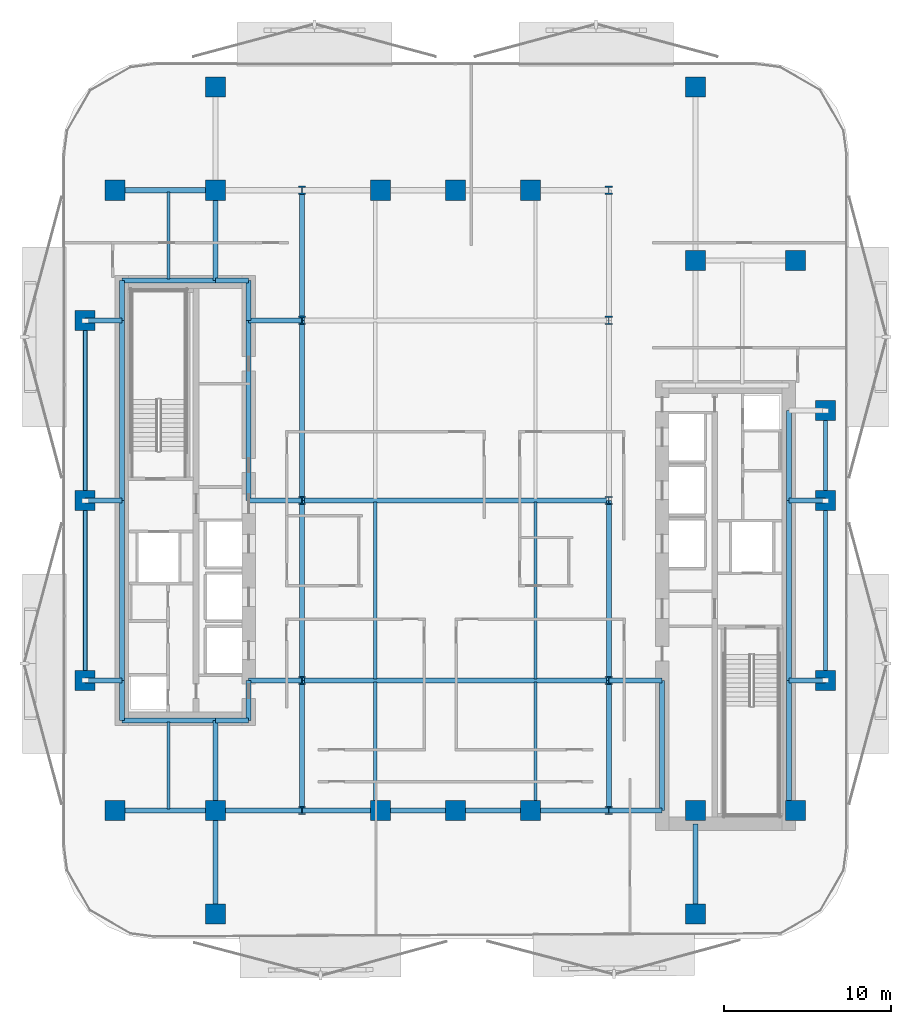
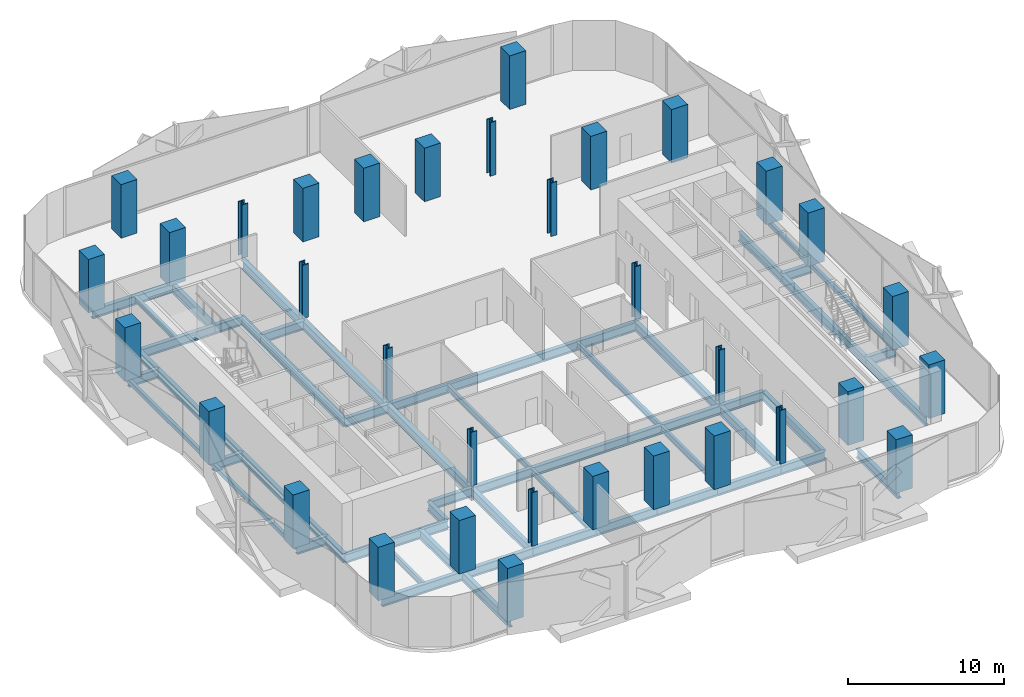
# One storey, part 1 of 15: 54 beams, 34 columns.
"""IFC4 building model written with IfcOpenShell, lengths in metres."""

from ifc_helpers import new_model, si_unit, direction, frame, origin, origin_2d, place, context, subcontext, project, spatial, rectangle, hollow_rectangle, i_section, extrude, material, material_profile, profile_set, type_object, element, save


model = new_model("IFC4")

# Units and contexts
model_context = context("Model", 3, precision=1e-05, world=origin(), true_north=direction((0.0, 1.0)))
body_context = subcontext(model_context, "Body", "Model", "MODEL_VIEW")
ifc_project = project(units=[si_unit("LENGTHUNIT", "METRE"), si_unit("AREAUNIT", "SQUARE_METRE"), si_unit("VOLUMEUNIT", "CUBIC_METRE"), si_unit("PLANEANGLEUNIT", "RADIAN"), si_unit("MASSUNIT", "GRAM", prefix="KILO")], contexts=[model_context])

# Site, building, storey
site_placement = place(None, origin())
site = spatial("IfcSite", under=ifc_project, at=site_placement, CompositionType="ELEMENT")
building_placement = place(site_placement, origin())
building = spatial("IfcBuilding", under=site, at=building_placement, Name="Khairoan Windgate Tower", CompositionType="ELEMENT")
storey_placement = place(building_placement, frame((0.0, 0.0, 110.0)))
storey = spatial("IfcBuildingStorey", under=building, at=storey_placement, Name="L25", CompositionType="ELEMENT", Elevation=110.0)

# Columns
ifc_material_1 = material(Name="Concrete C60/75", Category="concrete")
ifc_material_profile_1 = material_profile(ifc_material_1, rectangle(XDim=1.199951171875, YDim=1.199951171875, at=origin_2d()))
ifc_profile_set_1 = profile_set([ifc_material_profile_1], Name="Concrete C60/75")
column_type_1 = type_object("IfcColumnType", Name="Column C-T3 RC1200x1200", PredefinedType="COLUMN", material=ifc_profile_set_1)
for number, where, z_axis, x_axis, name in (
    (1, (-20.39990234375, -18.60009765625, 0.0), (0.0, 0.0, 1.0), (1.0, 0.0, 0.0), "Column L25-11"),
    (2, (-20.39990234375, 18.60009765625, 0.0), (0.0, 0.0, 1.0), (1.0, 0.0, 0.0), "Column L25-12"),
    (3, (20.39990234375, -18.60009765625, 0.0), (0.0, 0.0, 1.0), (1.0, 0.0, 0.0), "Column L25-13"),
    (4, (20.39990234375, 14.39990234375, 0.0), (0.0, 0.0, 1.0), (1.0, 0.0, 0.0), "Column L25-14"),
    (5, (-14.39990234375, -18.60009765625, 0.0), (0.0, 0.0, 1.0), (1.0, 0.0, 0.0), "Column L25-15"),
    (6, (-14.39990234375, 18.60009765625, 0.0), (0.0, 0.0, 1.0), (1.0, 0.0, 0.0), "Column L25-16"),
    (7, (14.39990234375, -18.60009765625, 0.0), (0.0, 0.0, 1.0), (1.0, 0.0, 0.0), "Column L25-17"),
    (8, (14.39990234375, 14.39990234375, 0.0), (0.0, 0.0, 1.0), (1.0, 0.0, 0.0), "Column L25-18"),
    (9, (-4.5, -18.60009765625, 0.0), (0.0, 0.0, 1.0), (1.0, 0.0, 0.0), "Column L25-19"),
    (10, (0.0, -18.60009765625, 0.0), (0.0, 0.0, 1.0), (1.0, 0.0, 0.0), "Column L25-20"),
    (11, (4.5, -18.60009765625, 0.0), (0.0, 0.0, 1.0), (1.0, 0.0, 0.0), "Column L25-21"),
    (12, (-4.5, 18.60009765625, 0.0), (0.0, 0.0, 1.0), (1.0, 0.0, 0.0), "Column L25-22"),
    (13, (0.0, 18.60009765625, 0.0), (0.0, 0.0, 1.0), (1.0, 0.0, 0.0), "Column L25-23"),
    (14, (4.5, 18.60009765625, 0.0), (0.0, 0.0, 1.0), (1.0, 0.0, 0.0), "Column L25-24"),
    (15, (-22.199951171875, -10.800048828125, 0.0), (0.0, 0.0, 1.0), (1.0, 0.0, 0.0), "Column L25-25"),
    (16, (-22.199951171875, 0.0, 0.0), (0.0, 0.0, 1.0), (1.0, 0.0, 0.0), "Column L25-26"),
    (17, (-22.199951171875, 10.800048828125, 0.0), (0.0, 0.0, 1.0), (1.0, 0.0, 0.0), "Column L25-27"),
    (18, (22.199951171875, -10.800048828125, 0.0), (0.0, 0.0, 1.0), (1.0, 0.0, 0.0), "Column L25-28"),
    (19, (22.199951171875, 0.0, 0.0), (0.0, 0.0, 1.0), (1.0, 0.0, 0.0), "Column L25-29"),
    (20, (22.199951171875, 5.39990234375, 0.0), (0.0, 0.0, 1.0), (1.0, 0.0, 0.0), "Column L25-30"),
    (21, (-14.39990234375, -24.800048828125, 0.0), (0.0, 0.0, 1.0), (1.0, 0.0, 0.0), "Column L25-31"),
    (22, (-14.39990234375, 24.800048828125, 0.0), (0.0, 0.0, 1.0), (1.0, 0.0, 0.0), "Column L25-32"),
    (23, (14.39990234375, -24.800048828125, 0.0), (0.0, 0.0, 1.0), (1.0, 0.0, 0.0), "Column L25-33"),
    (24, (14.39990234375, 24.800048828125, 0.0), (0.0, 0.0, 1.0), (1.0, 0.0, 0.0), "Column L25-34"),
):
    element("IfcColumn", number, at=place(storey_placement, frame(where, z_axis=z_axis, x_axis=x_axis)), inside=storey, type_object=column_type_1, Name=name, PredefinedType="COLUMN", context=body_context, shape_type="SweptSolid", body=[
        extrude(rectangle(XDim=1.199951171875, YDim=1.199951171875, at=origin_2d()), origin(), (0.0, 0.0, 1.0), 4.199951171875),
    ])
ifc_material_2 = material(Name="Steel S355", Category="steel")
ifc_material_profile_2 = material_profile(ifc_material_2, i_section(OverallWidth=0.431884765625, OverallDepth=0.498046875, WebThickness=0.044921875, FlangeThickness=0.070068359375, FilletRadius=0.02197265625, at=origin_2d()))
ifc_profile_set_2 = profile_set([ifc_material_profile_2], Name="Steel S355")
column_type_2 = type_object("IfcColumnType", Name="Steel Column SC1 H498x432x45x70", PredefinedType="COLUMN", material=ifc_profile_set_2)
for number, where, z_axis, x_axis, name in (
    (25, (-9.199951171875, -18.60009765625, 0.0), (0.0, 0.0, 1.0), (1.0, 0.0, 0.0), "Column L25-01"),
    (26, (-9.199951171875, -10.800048828125, 0.0), (0.0, 0.0, 1.0), (1.0, 0.0, 0.0), "Column L25-02"),
    (27, (-9.199951171875, 0.0, 0.0), (0.0, 0.0, 1.0), (1.0, 0.0, 0.0), "Column L25-03"),
    (28, (-9.199951171875, 10.800048828125, 0.0), (0.0, 0.0, 1.0), (1.0, 0.0, 0.0), "Column L25-04"),
    (29, (-9.199951171875, 18.60009765625, 0.0), (0.0, 0.0, 1.0), (1.0, 0.0, 0.0), "Column L25-05"),
    (30, (9.199951171875, -18.60009765625, 0.0), (0.0, 0.0, 1.0), (1.0, 0.0, 0.0), "Column L25-06"),
    (31, (9.199951171875, -10.800048828125, 0.0), (0.0, 0.0, 1.0), (1.0, 0.0, 0.0), "Column L25-07"),
    (32, (9.199951171875, 0.0, 0.0), (0.0, 0.0, 1.0), (1.0, 0.0, 0.0), "Column L25-08"),
    (33, (9.199951171875, 10.800048828125, 0.0), (0.0, 0.0, 1.0), (1.0, 0.0, 0.0), "Column L25-09"),
    (34, (9.199951171875, 18.60009765625, 0.0), (0.0, 0.0, 1.0), (1.0, 0.0, 0.0), "Column L25-10"),
):
    element("IfcColumn", number, at=place(storey_placement, frame(where, z_axis=z_axis, x_axis=x_axis)), inside=storey, type_object=column_type_2, Name=name, PredefinedType="COLUMN", context=body_context, shape_type="SweptSolid", body=[
        extrude(i_section(OverallWidth=0.431884765625, OverallDepth=0.498046875, WebThickness=0.044921875, FlangeThickness=0.070068359375, FilletRadius=0.02197265625, at=origin_2d()), origin(), (0.0, 0.0, 1.0), 4.199951171875),
    ])

# Beams
ifc_material_3 = material(Name="Steel S355", Category="steel")
ifc_material_profile_3 = material_profile(ifc_material_3, i_section(OverallWidth=0.300048828125, OverallDepth=0.699951171875, WebThickness=0.012939453125, FlangeThickness=0.02392578125, FilletRadius=0.02587890625, at=origin_2d()))
ifc_profile_set_3 = profile_set([ifc_material_profile_3], Name="Steel S355")
beam_type_1 = type_object("IfcBeamType", Name="Beam B-G3 H700x300x13x24", PredefinedType="BEAM", material=ifc_profile_set_3)
beam_1_placement = place(storey_placement, frame((-20.39990234375, -18.60009765625, -0.610107421875), z_axis=(1.0, 0.0, 0.0), x_axis=(0.0, 1.0, 0.0)))
element("IfcBeam", 35, at=beam_1_placement, inside=storey, type_object=beam_type_1, Name="L25 E-W Primary Girder 01", PredefinedType="BEAM", context=body_context, shape_type="SweptSolid", body=[
    extrude(i_section(OverallWidth=0.300048828125, OverallDepth=0.699951171875, WebThickness=0.012939453125, FlangeThickness=0.02392578125, FilletRadius=0.02587890625, at=origin_2d()), origin(), (0.0, 0.0, 1.0), 6.0),
])
beam_2_placement = place(storey_placement, frame((-14.39990234375, -18.60009765625, -0.610107421875), z_axis=(1.0, 0.0, 0.0), x_axis=(0.0, 1.0, 0.0)))
element("IfcBeam", 36, at=beam_2_placement, inside=storey, type_object=beam_type_1, Name="L25 E-W Primary Girder 02", PredefinedType="BEAM", context=body_context, shape_type="SweptSolid", body=[
    extrude(i_section(OverallWidth=0.300048828125, OverallDepth=0.699951171875, WebThickness=0.012939453125, FlangeThickness=0.02392578125, FilletRadius=0.02587890625, at=origin_2d()), origin(), (0.0, 0.0, 1.0), 5.199951171875),
])
beam_3_placement = place(storey_placement, frame((-9.199951171875, -18.60009765625, -0.610107421875), z_axis=(1.0, 0.0, 0.0), x_axis=(0.0, 1.0, 0.0)))
element("IfcBeam", 37, at=beam_3_placement, inside=storey, type_object=beam_type_1, Name="L25 E-W Primary Girder 03", PredefinedType="BEAM", context=body_context, shape_type="SweptSolid", body=[
    extrude(i_section(OverallWidth=0.300048828125, OverallDepth=0.699951171875, WebThickness=0.012939453125, FlangeThickness=0.02392578125, FilletRadius=0.02587890625, at=origin_2d()), origin(), (0.0, 0.0, 1.0), 4.699951171875),
])
for number, where, z_axis, x_axis, name in (
    (38, (-4.5, -18.60009765625, -0.610107421875), (1.0, 0.0, 0.0), (0.0, 1.0, 0.0), "L25 E-W Primary Girder 04"),
    (39, (0.0, -18.60009765625, -0.610107421875), (1.0, 0.0, 0.0), (0.0, 1.0, 0.0), "L25 E-W Primary Girder 05"),
):
    element("IfcBeam", number, at=place(storey_placement, frame(where, z_axis=z_axis, x_axis=x_axis)), inside=storey, type_object=beam_type_1, Name=name, PredefinedType="BEAM", context=body_context, shape_type="SweptSolid", body=[
        extrude(i_section(OverallWidth=0.300048828125, OverallDepth=0.699951171875, WebThickness=0.012939453125, FlangeThickness=0.02392578125, FilletRadius=0.02587890625, at=origin_2d()), origin(), (0.0, 0.0, 1.0), 4.5),
    ])
beam_4_placement = place(storey_placement, frame((4.5, -18.60009765625, -0.610107421875), z_axis=(1.0, 0.0, 0.0), x_axis=(0.0, 1.0, 0.0)))
element("IfcBeam", 40, at=beam_4_placement, inside=storey, type_object=beam_type_1, Name="L25 E-W Primary Girder 06", PredefinedType="BEAM", context=body_context, shape_type="SweptSolid", body=[
    extrude(i_section(OverallWidth=0.300048828125, OverallDepth=0.699951171875, WebThickness=0.012939453125, FlangeThickness=0.02392578125, FilletRadius=0.02587890625, at=origin_2d()), origin(), (0.0, 0.0, 1.0), 4.699951171875),
])
beam_5_placement = place(storey_placement, frame((9.199951171875, -18.60009765625, -0.610107421875), z_axis=(1.0, 0.0, 0.0), x_axis=(0.0, 1.0, 0.0)))
element("IfcBeam", 41, at=beam_5_placement, inside=storey, type_object=beam_type_1, Name="L25 E-W Primary Girder 07", PredefinedType="BEAM", context=body_context, shape_type="SweptSolid", body=[
    extrude(i_section(OverallWidth=0.300048828125, OverallDepth=0.699951171875, WebThickness=0.012939453125, FlangeThickness=0.02392578125, FilletRadius=0.02587890625, at=origin_2d()), origin(), (0.0, 0.0, 1.0), 3.199951171875),
])
beam_6_placement = place(storey_placement, frame((-20.0, -13.199951171875, -0.610107421875), z_axis=(1.0, 0.0, 0.0), x_axis=(0.0, 1.0, 0.0)))
element("IfcBeam", 42, at=beam_6_placement, inside=storey, type_object=beam_type_1, Name="L25 E-W Primary Girder 08", PredefinedType="BEAM", context=body_context, shape_type="SweptSolid", body=[
    extrude(i_section(OverallWidth=0.300048828125, OverallDepth=0.699951171875, WebThickness=0.012939453125, FlangeThickness=0.02392578125, FilletRadius=0.02587890625, at=origin_2d()), origin(), (0.0, 0.0, 1.0), 5.60009765625),
])
beam_7_placement = place(storey_placement, frame((-14.39990234375, -13.199951171875, -0.610107421875), z_axis=(1.0, 0.0, 0.0), x_axis=(0.0, 1.0, 0.0)))
element("IfcBeam", 43, at=beam_7_placement, inside=storey, type_object=beam_type_1, Name="L25 E-W Primary Girder 09", PredefinedType="BEAM", context=body_context, shape_type="SweptSolid", body=[
    extrude(i_section(OverallWidth=0.300048828125, OverallDepth=0.699951171875, WebThickness=0.012939453125, FlangeThickness=0.02392578125, FilletRadius=0.02587890625, at=origin_2d()), origin(), (0.0, 0.0, 1.0), 2.0),
])
beam_8_placement = place(storey_placement, frame((-22.199951171875, -10.800048828125, -0.610107421875), z_axis=(1.0, 0.0, 0.0), x_axis=(0.0, 1.0, 0.0)))
element("IfcBeam", 44, at=beam_8_placement, inside=storey, type_object=beam_type_1, Name="L25 E-W Primary Girder 10", PredefinedType="BEAM", context=body_context, shape_type="SweptSolid", body=[
    extrude(i_section(OverallWidth=0.300048828125, OverallDepth=0.699951171875, WebThickness=0.012939453125, FlangeThickness=0.02392578125, FilletRadius=0.02587890625, at=origin_2d()), origin(), (0.0, 0.0, 1.0), 2.199951171875),
])
beam_9_placement = place(storey_placement, frame((-12.39990234375, -10.800048828125, -0.610107421875), z_axis=(1.0, 0.0, 0.0), x_axis=(0.0, 1.0, 0.0)))
element("IfcBeam", 45, at=beam_9_placement, inside=storey, type_object=beam_type_1, Name="L25 E-W Primary Girder 11", PredefinedType="BEAM", context=body_context, shape_type="SweptSolid", body=[
    extrude(i_section(OverallWidth=0.300048828125, OverallDepth=0.699951171875, WebThickness=0.012939453125, FlangeThickness=0.02392578125, FilletRadius=0.02587890625, at=origin_2d()), origin(), (0.0, 0.0, 1.0), 3.199951171875),
])
beam_10_placement = place(storey_placement, frame((-9.199951171875, -10.800048828125, -0.610107421875), z_axis=(1.0, 0.0, 0.0), x_axis=(0.0, 1.0, 0.0)))
element("IfcBeam", 46, at=beam_10_placement, inside=storey, type_object=beam_type_1, Name="L25 E-W Primary Girder 12", PredefinedType="BEAM", context=body_context, shape_type="SweptSolid", body=[
    extrude(i_section(OverallWidth=0.300048828125, OverallDepth=0.699951171875, WebThickness=0.012939453125, FlangeThickness=0.02392578125, FilletRadius=0.02587890625, at=origin_2d()), origin(), (0.0, 0.0, 1.0), 18.39990234375),
])
beam_11_placement = place(storey_placement, frame((9.199951171875, -10.800048828125, -0.610107421875), z_axis=(1.0, 0.0, 0.0), x_axis=(0.0, 1.0, 0.0)))
element("IfcBeam", 47, at=beam_11_placement, inside=storey, type_object=beam_type_1, Name="L25 E-W Primary Girder 13", PredefinedType="BEAM", context=body_context, shape_type="SweptSolid", body=[
    extrude(i_section(OverallWidth=0.300048828125, OverallDepth=0.699951171875, WebThickness=0.012939453125, FlangeThickness=0.02392578125, FilletRadius=0.02587890625, at=origin_2d()), origin(), (0.0, 0.0, 1.0), 3.199951171875),
])
for number, where, z_axis, x_axis, name in (
    (48, (20.0, -10.800048828125, -0.610107421875), (1.0, 0.0, 0.0), (0.0, 1.0, 0.0), "L25 E-W Primary Girder 14"),
    (49, (-22.199951171875, 0.0, -0.610107421875), (1.0, 0.0, 0.0), (0.0, 1.0, 0.0), "L25 E-W Primary Girder 15"),
):
    element("IfcBeam", number, at=place(storey_placement, frame(where, z_axis=z_axis, x_axis=x_axis)), inside=storey, type_object=beam_type_1, Name=name, PredefinedType="BEAM", context=body_context, shape_type="SweptSolid", body=[
        extrude(i_section(OverallWidth=0.300048828125, OverallDepth=0.699951171875, WebThickness=0.012939453125, FlangeThickness=0.02392578125, FilletRadius=0.02587890625, at=origin_2d()), origin(), (0.0, 0.0, 1.0), 2.199951171875),
    ])
beam_12_placement = place(storey_placement, frame((-12.39990234375, 0.0, -0.610107421875), z_axis=(1.0, 0.0, 0.0), x_axis=(0.0, 1.0, 0.0)))
element("IfcBeam", 50, at=beam_12_placement, inside=storey, type_object=beam_type_1, Name="L25 E-W Primary Girder 16", PredefinedType="BEAM", context=body_context, shape_type="SweptSolid", body=[
    extrude(i_section(OverallWidth=0.300048828125, OverallDepth=0.699951171875, WebThickness=0.012939453125, FlangeThickness=0.02392578125, FilletRadius=0.02587890625, at=origin_2d()), origin(), (0.0, 0.0, 1.0), 3.199951171875),
])
beam_13_placement = place(storey_placement, frame((-9.199951171875, 0.0, -0.610107421875), z_axis=(1.0, 0.0, 0.0), x_axis=(0.0, 1.0, 0.0)))
element("IfcBeam", 51, at=beam_13_placement, inside=storey, type_object=beam_type_1, Name="L25 E-W Primary Girder 17", PredefinedType="BEAM", context=body_context, shape_type="SweptSolid", body=[
    extrude(i_section(OverallWidth=0.300048828125, OverallDepth=0.699951171875, WebThickness=0.012939453125, FlangeThickness=0.02392578125, FilletRadius=0.02587890625, at=origin_2d()), origin(), (0.0, 0.0, 1.0), 18.39990234375),
])
for number, where, z_axis, x_axis, name in (
    (52, (20.0, 0.0, -0.610107421875), (1.0, 0.0, 0.0), (0.0, 1.0, 0.0), "L25 E-W Primary Girder 18"),
    (53, (-22.199951171875, 10.800048828125, -0.610107421875), (1.0, 0.0, 0.0), (0.0, 1.0, 0.0), "L25 E-W Primary Girder 22"),
):
    element("IfcBeam", number, at=place(storey_placement, frame(where, z_axis=z_axis, x_axis=x_axis)), inside=storey, type_object=beam_type_1, Name=name, PredefinedType="BEAM", context=body_context, shape_type="SweptSolid", body=[
        extrude(i_section(OverallWidth=0.300048828125, OverallDepth=0.699951171875, WebThickness=0.012939453125, FlangeThickness=0.02392578125, FilletRadius=0.02587890625, at=origin_2d()), origin(), (0.0, 0.0, 1.0), 2.199951171875),
    ])
beam_14_placement = place(storey_placement, frame((-12.39990234375, 10.800048828125, -0.610107421875), z_axis=(1.0, 0.0, 0.0), x_axis=(0.0, 1.0, 0.0)))
element("IfcBeam", 54, at=beam_14_placement, inside=storey, type_object=beam_type_1, Name="L25 E-W Primary Girder 23", PredefinedType="BEAM", context=body_context, shape_type="SweptSolid", body=[
    extrude(i_section(OverallWidth=0.300048828125, OverallDepth=0.699951171875, WebThickness=0.012939453125, FlangeThickness=0.02392578125, FilletRadius=0.02587890625, at=origin_2d()), origin(), (0.0, 0.0, 1.0), 3.199951171875),
])
beam_15_placement = place(storey_placement, frame((-20.0, 13.199951171875, -0.610107421875), z_axis=(1.0, 0.0, 0.0), x_axis=(0.0, 1.0, 0.0)))
element("IfcBeam", 55, at=beam_15_placement, inside=storey, type_object=beam_type_1, Name="L25 E-W Primary Girder 25", PredefinedType="BEAM", context=body_context, shape_type="SweptSolid", body=[
    extrude(i_section(OverallWidth=0.300048828125, OverallDepth=0.699951171875, WebThickness=0.012939453125, FlangeThickness=0.02392578125, FilletRadius=0.02587890625, at=origin_2d()), origin(), (0.0, 0.0, 1.0), 5.60009765625),
])
beam_16_placement = place(storey_placement, frame((-14.39990234375, 13.199951171875, -0.610107421875), z_axis=(1.0, 0.0, 0.0), x_axis=(0.0, 1.0, 0.0)))
element("IfcBeam", 56, at=beam_16_placement, inside=storey, type_object=beam_type_1, Name="L25 E-W Primary Girder 26", PredefinedType="BEAM", context=body_context, shape_type="SweptSolid", body=[
    extrude(i_section(OverallWidth=0.300048828125, OverallDepth=0.699951171875, WebThickness=0.012939453125, FlangeThickness=0.02392578125, FilletRadius=0.02587890625, at=origin_2d()), origin(), (0.0, 0.0, 1.0), 2.0),
])
beam_17_placement = place(storey_placement, frame((-20.39990234375, 18.60009765625, -0.610107421875), z_axis=(1.0, 0.0, 0.0), x_axis=(0.0, 1.0, 0.0)))
element("IfcBeam", 57, at=beam_17_placement, inside=storey, type_object=beam_type_1, Name="L25 E-W Primary Girder 28", PredefinedType="BEAM", context=body_context, shape_type="SweptSolid", body=[
    extrude(i_section(OverallWidth=0.300048828125, OverallDepth=0.699951171875, WebThickness=0.012939453125, FlangeThickness=0.02392578125, FilletRadius=0.02587890625, at=origin_2d()), origin(), (0.0, 0.0, 1.0), 6.0),
])
beam_18_placement = place(storey_placement, frame((-20.0, -13.199951171875, -0.610107421875), z_axis=(0.0, 1.0, 0.0), x_axis=(-1.0, 0.0, 0.0)))
element("IfcBeam", 58, at=beam_18_placement, inside=storey, type_object=beam_type_1, Name="L25 N-S Primary Beam 36", PredefinedType="BEAM", context=body_context, shape_type="SweptSolid", body=[
    extrude(i_section(OverallWidth=0.300048828125, OverallDepth=0.699951171875, WebThickness=0.012939453125, FlangeThickness=0.02392578125, FilletRadius=0.02587890625, at=origin_2d()), origin(), (0.0, 0.0, 1.0), 2.39990234375),
])
for number, where, z_axis, x_axis, name in (
    (59, (-20.0, -10.800048828125, -0.610107421875), (0.0, 1.0, 0.0), (-1.0, 0.0, 0.0), "L25 N-S Primary Beam 37"),
    (60, (-20.0, 0.0, -0.610107421875), (0.0, 1.0, 0.0), (-1.0, 0.0, 0.0), "L25 N-S Primary Beam 38"),
):
    element("IfcBeam", number, at=place(storey_placement, frame(where, z_axis=z_axis, x_axis=x_axis)), inside=storey, type_object=beam_type_1, Name=name, PredefinedType="BEAM", context=body_context, shape_type="SweptSolid", body=[
        extrude(i_section(OverallWidth=0.300048828125, OverallDepth=0.699951171875, WebThickness=0.012939453125, FlangeThickness=0.02392578125, FilletRadius=0.02587890625, at=origin_2d()), origin(), (0.0, 0.0, 1.0), 10.800048828125),
    ])
beam_19_placement = place(storey_placement, frame((-20.0, 10.800048828125, -0.610107421875), z_axis=(0.0, 1.0, 0.0), x_axis=(-1.0, 0.0, 0.0)))
element("IfcBeam", 61, at=beam_19_placement, inside=storey, type_object=beam_type_1, Name="L25 N-S Primary Beam 39", PredefinedType="BEAM", context=body_context, shape_type="SweptSolid", body=[
    extrude(i_section(OverallWidth=0.300048828125, OverallDepth=0.699951171875, WebThickness=0.012939453125, FlangeThickness=0.02392578125, FilletRadius=0.02587890625, at=origin_2d()), origin(), (0.0, 0.0, 1.0), 2.39990234375),
])
beam_20_placement = place(storey_placement, frame((-14.39990234375, -24.800048828125, -0.610107421875), z_axis=(0.0, 1.0, 0.0), x_axis=(-1.0, 0.0, 0.0)))
element("IfcBeam", 62, at=beam_20_placement, inside=storey, type_object=beam_type_1, Name="L25 N-S Primary Beam 40", PredefinedType="BEAM", context=body_context, shape_type="SweptSolid", body=[
    extrude(i_section(OverallWidth=0.300048828125, OverallDepth=0.699951171875, WebThickness=0.012939453125, FlangeThickness=0.02392578125, FilletRadius=0.02587890625, at=origin_2d()), origin(), (0.0, 0.0, 1.0), 6.199951171875),
])
for number, where, z_axis, x_axis, name in (
    (63, (-14.39990234375, -18.60009765625, -0.610107421875), (0.0, 1.0, 0.0), (-1.0, 0.0, 0.0), "L25 N-S Primary Beam 41"),
    (64, (-14.39990234375, 13.199951171875, -0.610107421875), (0.0, 1.0, 0.0), (-1.0, 0.0, 0.0), "L25 N-S Primary Beam 42"),
):
    element("IfcBeam", number, at=place(storey_placement, frame(where, z_axis=z_axis, x_axis=x_axis)), inside=storey, type_object=beam_type_1, Name=name, PredefinedType="BEAM", context=body_context, shape_type="SweptSolid", body=[
        extrude(i_section(OverallWidth=0.300048828125, OverallDepth=0.699951171875, WebThickness=0.012939453125, FlangeThickness=0.02392578125, FilletRadius=0.02587890625, at=origin_2d()), origin(), (0.0, 0.0, 1.0), 5.400146484375),
    ])
beam_21_placement = place(storey_placement, frame((-12.39990234375, -13.199951171875, -0.610107421875), z_axis=(0.0, 1.0, 0.0), x_axis=(-1.0, 0.0, 0.0)))
element("IfcBeam", 65, at=beam_21_placement, inside=storey, type_object=beam_type_1, Name="L25 N-S Primary Beam 44", PredefinedType="BEAM", context=body_context, shape_type="SweptSolid", body=[
    extrude(i_section(OverallWidth=0.300048828125, OverallDepth=0.699951171875, WebThickness=0.012939453125, FlangeThickness=0.02392578125, FilletRadius=0.02587890625, at=origin_2d()), origin(), (0.0, 0.0, 1.0), 2.39990234375),
])
beam_22_placement = place(storey_placement, frame((-12.39990234375, 0.0, -0.610107421875), z_axis=(0.0, 1.0, 0.0), x_axis=(-1.0, 0.0, 0.0)))
element("IfcBeam", 66, at=beam_22_placement, inside=storey, type_object=beam_type_1, Name="L25 N-S Primary Beam 45", PredefinedType="BEAM", context=body_context, shape_type="SweptSolid", body=[
    extrude(i_section(OverallWidth=0.300048828125, OverallDepth=0.699951171875, WebThickness=0.012939453125, FlangeThickness=0.02392578125, FilletRadius=0.02587890625, at=origin_2d()), origin(), (0.0, 0.0, 1.0), 10.800048828125),
])
beam_23_placement = place(storey_placement, frame((-12.39990234375, 10.800048828125, -0.610107421875), z_axis=(0.0, 1.0, 0.0), x_axis=(-1.0, 0.0, 0.0)))
element("IfcBeam", 67, at=beam_23_placement, inside=storey, type_object=beam_type_1, Name="L25 N-S Primary Beam 46", PredefinedType="BEAM", context=body_context, shape_type="SweptSolid", body=[
    extrude(i_section(OverallWidth=0.300048828125, OverallDepth=0.699951171875, WebThickness=0.012939453125, FlangeThickness=0.02392578125, FilletRadius=0.02587890625, at=origin_2d()), origin(), (0.0, 0.0, 1.0), 2.39990234375),
])
beam_24_placement = place(storey_placement, frame((-9.199951171875, -18.60009765625, -0.610107421875), z_axis=(0.0, 1.0, 0.0), x_axis=(-1.0, 0.0, 0.0)))
element("IfcBeam", 68, at=beam_24_placement, inside=storey, type_object=beam_type_1, Name="L25 N-S Primary Beam 47", PredefinedType="BEAM", context=body_context, shape_type="SweptSolid", body=[
    extrude(i_section(OverallWidth=0.300048828125, OverallDepth=0.699951171875, WebThickness=0.012939453125, FlangeThickness=0.02392578125, FilletRadius=0.02587890625, at=origin_2d()), origin(), (0.0, 0.0, 1.0), 7.800048828125),
])
for number, where, z_axis, x_axis, name in (
    (69, (-9.199951171875, -10.800048828125, -0.610107421875), (0.0, 1.0, 0.0), (-1.0, 0.0, 0.0), "L25 N-S Primary Beam 48"),
    (70, (-9.199951171875, 0.0, -0.610107421875), (0.0, 1.0, 0.0), (-1.0, 0.0, 0.0), "L25 N-S Primary Beam 49"),
):
    element("IfcBeam", number, at=place(storey_placement, frame(where, z_axis=z_axis, x_axis=x_axis)), inside=storey, type_object=beam_type_1, Name=name, PredefinedType="BEAM", context=body_context, shape_type="SweptSolid", body=[
        extrude(i_section(OverallWidth=0.300048828125, OverallDepth=0.699951171875, WebThickness=0.012939453125, FlangeThickness=0.02392578125, FilletRadius=0.02587890625, at=origin_2d()), origin(), (0.0, 0.0, 1.0), 10.800048828125),
    ])
for number, where, z_axis, x_axis, name in (
    (71, (-9.199951171875, 10.800048828125, -0.610107421875), (0.0, 1.0, 0.0), (-1.0, 0.0, 0.0), "L25 N-S Primary Beam 50"),
    (72, (9.199951171875, -18.60009765625, -0.610107421875), (0.0, 1.0, 0.0), (-1.0, 0.0, 0.0), "L25 N-S Primary Beam 51"),
):
    element("IfcBeam", number, at=place(storey_placement, frame(where, z_axis=z_axis, x_axis=x_axis)), inside=storey, type_object=beam_type_1, Name=name, PredefinedType="BEAM", context=body_context, shape_type="SweptSolid", body=[
        extrude(i_section(OverallWidth=0.300048828125, OverallDepth=0.699951171875, WebThickness=0.012939453125, FlangeThickness=0.02392578125, FilletRadius=0.02587890625, at=origin_2d()), origin(), (0.0, 0.0, 1.0), 7.800048828125),
    ])
beam_25_placement = place(storey_placement, frame((9.199951171875, -10.800048828125, -0.610107421875), z_axis=(0.0, 1.0, 0.0), x_axis=(-1.0, 0.0, 0.0)))
element("IfcBeam", 73, at=beam_25_placement, inside=storey, type_object=beam_type_1, Name="L25 N-S Primary Beam 52", PredefinedType="BEAM", context=body_context, shape_type="SweptSolid", body=[
    extrude(i_section(OverallWidth=0.300048828125, OverallDepth=0.699951171875, WebThickness=0.012939453125, FlangeThickness=0.02392578125, FilletRadius=0.02587890625, at=origin_2d()), origin(), (0.0, 0.0, 1.0), 10.800048828125),
])
beam_26_placement = place(storey_placement, frame((12.39990234375, -18.60009765625, -0.610107421875), z_axis=(0.0, 1.0, 0.0), x_axis=(-1.0, 0.0, 0.0)))
element("IfcBeam", 74, at=beam_26_placement, inside=storey, type_object=beam_type_1, Name="L25 N-S Primary Beam 55", PredefinedType="BEAM", context=body_context, shape_type="SweptSolid", body=[
    extrude(i_section(OverallWidth=0.300048828125, OverallDepth=0.699951171875, WebThickness=0.012939453125, FlangeThickness=0.02392578125, FilletRadius=0.02587890625, at=origin_2d()), origin(), (0.0, 0.0, 1.0), 7.800048828125),
])
beam_27_placement = place(storey_placement, frame((14.39990234375, -24.800048828125, -0.610107421875), z_axis=(0.0, 1.0, 0.0), x_axis=(-1.0, 0.0, 0.0)))
element("IfcBeam", 75, at=beam_27_placement, inside=storey, type_object=beam_type_1, Name="L25 N-S Primary Beam 56", PredefinedType="BEAM", context=body_context, shape_type="SweptSolid", body=[
    extrude(i_section(OverallWidth=0.300048828125, OverallDepth=0.699951171875, WebThickness=0.012939453125, FlangeThickness=0.02392578125, FilletRadius=0.02587890625, at=origin_2d()), origin(), (0.0, 0.0, 1.0), 5.400146484375),
])
beam_28_placement = place(storey_placement, frame((20.0, -18.60009765625, -0.610107421875), z_axis=(0.0, 1.0, 0.0), x_axis=(-1.0, 0.0, 0.0)))
element("IfcBeam", 76, at=beam_28_placement, inside=storey, type_object=beam_type_1, Name="L25 N-S Primary Beam 59", PredefinedType="BEAM", context=body_context, shape_type="SweptSolid", body=[
    extrude(i_section(OverallWidth=0.300048828125, OverallDepth=0.699951171875, WebThickness=0.012939453125, FlangeThickness=0.02392578125, FilletRadius=0.02587890625, at=origin_2d()), origin(), (0.0, 0.0, 1.0), 7.800048828125),
])
beam_29_placement = place(storey_placement, frame((20.0, -10.800048828125, -0.610107421875), z_axis=(0.0, 1.0, 0.0), x_axis=(-1.0, 0.0, 0.0)))
element("IfcBeam", 77, at=beam_29_placement, inside=storey, type_object=beam_type_1, Name="L25 N-S Primary Beam 60", PredefinedType="BEAM", context=body_context, shape_type="SweptSolid", body=[
    extrude(i_section(OverallWidth=0.300048828125, OverallDepth=0.699951171875, WebThickness=0.012939453125, FlangeThickness=0.02392578125, FilletRadius=0.02587890625, at=origin_2d()), origin(), (0.0, 0.0, 1.0), 10.800048828125),
])
beam_30_placement = place(storey_placement, frame((20.0, 0.0, -0.610107421875), z_axis=(0.0, 1.0, 0.0), x_axis=(-1.0, 0.0, 0.0)))
element("IfcBeam", 78, at=beam_30_placement, inside=storey, type_object=beam_type_1, Name="L25 N-S Primary Beam 61", PredefinedType="BEAM", context=body_context, shape_type="SweptSolid", body=[
    extrude(i_section(OverallWidth=0.300048828125, OverallDepth=0.699951171875, WebThickness=0.012939453125, FlangeThickness=0.02392578125, FilletRadius=0.02587890625, at=origin_2d()), origin(), (0.0, 0.0, 1.0), 5.39990234375),
])
ifc_material_4 = material(Name="Steel S355", Category="steel")
ifc_material_profile_4 = material_profile(ifc_material_4, i_section(OverallWidth=0.199951171875, OverallDepth=0.449951171875, WebThickness=0.009033203125, FlangeThickness=0.013916015625, FilletRadius=0.01806640625, at=origin_2d()))
ifc_profile_set_4 = profile_set([ifc_material_profile_4], Name="Steel S355")
beam_type_2 = type_object("IfcBeamType", Name="Beam J-S3 H450x200x9x14", PredefinedType="JOIST", material=ifc_profile_set_4)
for number, where, z_axis, x_axis, name in (
    (79, (-17.199951171875, -18.510009765625, -0.485107421875), (0.0, 1.0, 0.0), (-1.0, 0.0, 0.0), "L25 Secondary Floor Joist 01"),
    (80, (-17.199951171875, 13.2900390625, -0.485107421875), (0.0, 1.0, 0.0), (-1.0, 0.0, 0.0), "L25 Secondary Floor Joist 02"),
):
    element("IfcBeam", number, at=place(storey_placement, frame(where, z_axis=z_axis, x_axis=x_axis)), inside=storey, type_object=beam_type_2, Name=name, PredefinedType="JOIST", context=body_context, shape_type="SweptSolid", body=[
        extrude(i_section(OverallWidth=0.199951171875, OverallDepth=0.449951171875, WebThickness=0.009033203125, FlangeThickness=0.013916015625, FilletRadius=0.01806640625, at=origin_2d()), origin(), (0.0, 0.0, 1.0), 5.219970703125),
    ])
beam_31_placement = place(storey_placement, frame((-4.800048828125, -18.510009765625, -0.485107421875), z_axis=(0.0, 1.0, 0.0), x_axis=(-1.0, 0.0, 0.0)))
element("IfcBeam", 81, at=beam_31_placement, inside=storey, type_object=beam_type_2, Name="L25 Secondary Floor Joist 03", PredefinedType="JOIST", context=body_context, shape_type="SweptSolid", body=[
    extrude(i_section(OverallWidth=0.199951171875, OverallDepth=0.449951171875, WebThickness=0.009033203125, FlangeThickness=0.013916015625, FilletRadius=0.01806640625, at=origin_2d()), origin(), (0.0, 0.0, 1.0), 7.6201171875),
])
beam_32_placement = place(storey_placement, frame((-4.800048828125, -10.7099609375, -0.485107421875), z_axis=(0.0, 1.0, 0.0), x_axis=(-1.0, 0.0, 0.0)))
element("IfcBeam", 82, at=beam_32_placement, inside=storey, type_object=beam_type_2, Name="L25 Secondary Floor Joist 04", PredefinedType="JOIST", context=body_context, shape_type="SweptSolid", body=[
    extrude(i_section(OverallWidth=0.199951171875, OverallDepth=0.449951171875, WebThickness=0.009033203125, FlangeThickness=0.013916015625, FilletRadius=0.01806640625, at=origin_2d()), origin(), (0.0, 0.0, 1.0), 10.619873046875),
])
beam_33_placement = place(storey_placement, frame((4.800048828125, -18.510009765625, -0.485107421875), z_axis=(0.0, 1.0, 0.0), x_axis=(-1.0, 0.0, 0.0)))
element("IfcBeam", 83, at=beam_33_placement, inside=storey, type_object=beam_type_2, Name="L25 Secondary Floor Joist 07", PredefinedType="JOIST", context=body_context, shape_type="SweptSolid", body=[
    extrude(i_section(OverallWidth=0.199951171875, OverallDepth=0.449951171875, WebThickness=0.009033203125, FlangeThickness=0.013916015625, FilletRadius=0.01806640625, at=origin_2d()), origin(), (0.0, 0.0, 1.0), 7.6201171875),
])
beam_34_placement = place(storey_placement, frame((4.800048828125, -10.7099609375, -0.485107421875), z_axis=(0.0, 1.0, 0.0), x_axis=(-1.0, 0.0, 0.0)))
element("IfcBeam", 84, at=beam_34_placement, inside=storey, type_object=beam_type_2, Name="L25 Secondary Floor Joist 08", PredefinedType="JOIST", context=body_context, shape_type="SweptSolid", body=[
    extrude(i_section(OverallWidth=0.199951171875, OverallDepth=0.449951171875, WebThickness=0.009033203125, FlangeThickness=0.013916015625, FilletRadius=0.01806640625, at=origin_2d()), origin(), (0.0, 0.0, 1.0), 10.619873046875),
])
ifc_material_5 = material(Name="Steel S355", Category="steel")
ifc_material_profile_5 = material_profile(ifc_material_5, hollow_rectangle(XDim=0.25, YDim=0.35009765625, WallThickness=0.012451171875, InnerFilletRadius=0.012451171875, OuterFilletRadius=0.02490234375, at=origin_2d()))
ifc_profile_set_5 = profile_set([ifc_material_profile_5], Name="Steel S355")
beam_type_3 = type_object("IfcBeamType", Name="Beam SP-B2 RHS350x250x12.5", PredefinedType="SPANDREL", material=ifc_profile_set_5)
for number, where, z_axis, x_axis, name in (
    (85, (-22.199951171875, -10.800048828125, -0.43505859375), (0.0, 1.0, 0.0), (-1.0, 0.0, 0.0), "L25 Spandrel Beam 34"),
    (86, (-22.199951171875, 0.0, -0.43505859375), (0.0, 1.0, 0.0), (-1.0, 0.0, 0.0), "L25 Spandrel Beam 35"),
    (87, (22.199951171875, -10.800048828125, -0.43505859375), (0.0, 1.0, 0.0), (-1.0, 0.0, 0.0), "L25 Spandrel Beam 62"),
):
    element("IfcBeam", number, at=place(storey_placement, frame(where, z_axis=z_axis, x_axis=x_axis)), inside=storey, type_object=beam_type_3, Name=name, PredefinedType="SPANDREL", context=body_context, shape_type="SweptSolid", body=[
        extrude(hollow_rectangle(XDim=0.25, YDim=0.35009765625, WallThickness=0.012451171875, InnerFilletRadius=0.012451171875, OuterFilletRadius=0.02490234375, at=origin_2d()), origin(), (0.0, 0.0, 1.0), 10.800048828125),
    ])
beam_35_placement = place(storey_placement, frame((22.199951171875, 0.0, -0.43505859375), z_axis=(0.0, 1.0, 0.0), x_axis=(-1.0, 0.0, 0.0)))
element("IfcBeam", 88, at=beam_35_placement, inside=storey, type_object=beam_type_3, Name="L25 Spandrel Beam 63", PredefinedType="SPANDREL", context=body_context, shape_type="SweptSolid", body=[
    extrude(hollow_rectangle(XDim=0.25, YDim=0.35009765625, WallThickness=0.012451171875, InnerFilletRadius=0.012451171875, OuterFilletRadius=0.02490234375, at=origin_2d()), origin(), (0.0, 0.0, 1.0), 5.39990234375),
])

save(model, "model.ifc")
